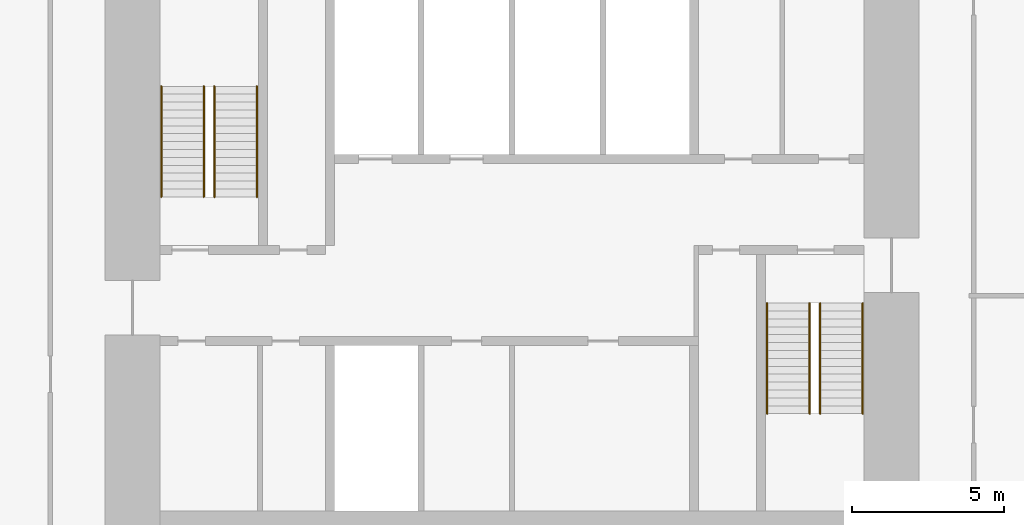
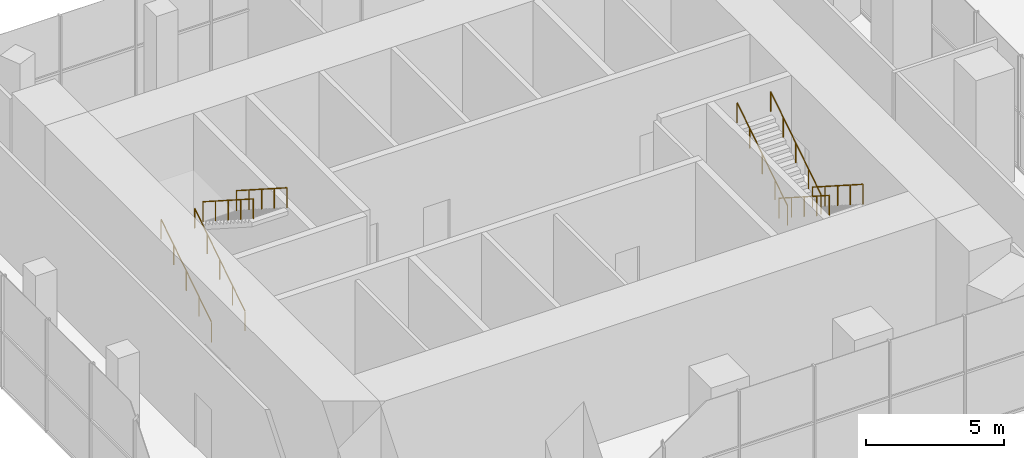
# One storey, part 9 of 9: 8 railings.
"""IFC4 building model written with IfcOpenShell, lengths in metres."""

from ifc_helpers import new_model, si_unit, direction, frame, origin, origin_2d, place, context, subcontext, project, spatial, circle, extrude, material, type_object, element, save


model = new_model("IFC4")

# Units and contexts
model_context = context("Model", 3, precision=1e-05, world=origin(), true_north=direction((0.0, 1.0)))
body_context = subcontext(model_context, "Body", "Model", "MODEL_VIEW")
ifc_project = project(units=[si_unit("LENGTHUNIT", "METRE"), si_unit("AREAUNIT", "SQUARE_METRE"), si_unit("VOLUMEUNIT", "CUBIC_METRE"), si_unit("PLANEANGLEUNIT", "RADIAN"), si_unit("MASSUNIT", "GRAM", prefix="KILO")], contexts=[model_context])

# Site, building, storey
site_placement = place(None, origin())
site = spatial("IfcSite", under=ifc_project, at=site_placement, CompositionType="ELEMENT")
building_placement = place(site_placement, origin())
building = spatial("IfcBuilding", under=site, at=building_placement, Name="Highveld Stack Headquarters", CompositionType="ELEMENT")
storey_placement = place(building_placement, frame((0.0, 0.0, 295.699951171875)))
storey = spatial("IfcBuildingStorey", under=building, at=storey_placement, Name="L73", CompositionType="ELEMENT", Elevation=295.699951171875)

# Railings
ifc_material = material(Name="Stainless steel handrail", Category="steel")
railing_type = type_object("IfcRailingType", Name="STAIR HANDRAIL HR1 900", PredefinedType="HANDRAIL", material=ifc_material)
for number, where, name in (
    (1, (-5.550048828125, 4.75, 0.166748046875), "Handrail S1 L73 flight 1"),
    (2, (-4.14990234375, 4.75, 0.166748046875), "Handrail S1 L73 flight 1"),
):
    element("IfcRailing", number, at=place(storey_placement, frame(where)), inside=storey, type_object=railing_type, Name=name, PredefinedType="HANDRAIL", context=body_context, shape_type="SweptSolid", body=[
        extrude(circle(Radius=0.02392578125, at=origin_2d()), frame((0.0, 0.0, 0.8759765625), z_axis=(0.0, 0.841880454617, 0.539664062296), x_axis=(-1.0, 0.0, 0.0)), (0.0, 0.0, 1.0), 4.323486328125),
        extrude(circle(Radius=0.02099609375, at=origin_2d()), origin(), (0.0, 0.0, 1.0), 0.851806640625),
        extrude(circle(Radius=0.02099609375, at=origin_2d()), frame((0.0, 0.909912109375, 0.583251953125)), (0.0, 0.0, 1.0), 0.851806640625),
        extrude(circle(Radius=0.02099609375, at=origin_2d()), frame((0.0, 1.81982421875, 1.16650390625)), (0.0, 0.0, 1.0), 0.851806640625),
        extrude(circle(Radius=0.02099609375, at=origin_2d()), frame((0.0, 2.72998046875, 1.75)), (0.0, 0.0, 1.0), 0.851806640625),
        extrude(circle(Radius=0.02099609375, at=origin_2d()), frame((0.0, 3.639892578125, 2.333251953125)), (0.0, 0.0, 1.0), 0.851806640625),
    ])
for number, where, name in (
    (3, (-3.800048828125, 8.389892578125, 2.666748046875), "Handrail S1 L73 flight 2"),
    (4, (-2.39990234375, 8.389892578125, 2.666748046875), "Handrail S1 L73 flight 2"),
    (5, (16.14990234375, 1.25, 0.166748046875), "Handrail S2 L73 flight 1"),
    (6, (17.550048828125, 1.25, 0.166748046875), "Handrail S2 L73 flight 1"),
):
    element("IfcRailing", number, at=place(storey_placement, frame(where)), inside=storey, type_object=railing_type, Name=name, PredefinedType="HANDRAIL", context=body_context, shape_type="SweptSolid", body=[
        extrude(circle(Radius=0.02392578125, at=origin_2d()), frame((0.0, 0.0, 0.8759765625), z_axis=(0.0, -0.841880454617, 0.539664062296), x_axis=(1.0, 0.0, 0.0)), (0.0, 0.0, 1.0), 4.323486328125),
        extrude(circle(Radius=0.02099609375, at=origin_2d()), origin(), (0.0, 0.0, 1.0), 0.851806640625),
        extrude(circle(Radius=0.02099609375, at=origin_2d()), frame((0.0, -0.909912109375, 0.583251953125)), (0.0, 0.0, 1.0), 0.851806640625),
        extrude(circle(Radius=0.02099609375, at=origin_2d()), frame((0.0, -1.81982421875, 1.16650390625)), (0.0, 0.0, 1.0), 0.851806640625),
        extrude(circle(Radius=0.02099609375, at=origin_2d()), frame((0.0, -2.72998046875, 1.75)), (0.0, 0.0, 1.0), 0.851806640625),
        extrude(circle(Radius=0.02099609375, at=origin_2d()), frame((0.0, -3.639892578125, 2.333251953125)), (0.0, 0.0, 1.0), 0.851806640625),
    ])
for number, where, name in (
    (7, (14.39990234375, -2.389892578125, 2.666748046875), "Handrail S2 L73 flight 2"),
    (8, (15.800048828125, -2.389892578125, 2.666748046875), "Handrail S2 L73 flight 2"),
):
    element("IfcRailing", number, at=place(storey_placement, frame(where)), inside=storey, type_object=railing_type, Name=name, PredefinedType="HANDRAIL", context=body_context, shape_type="SweptSolid", body=[
        extrude(circle(Radius=0.02392578125, at=origin_2d()), frame((0.0, 0.0, 0.8759765625), z_axis=(0.0, 0.841880454617, 0.539664062296), x_axis=(-1.0, 0.0, 0.0)), (0.0, 0.0, 1.0), 4.323486328125),
        extrude(circle(Radius=0.02099609375, at=origin_2d()), origin(), (0.0, 0.0, 1.0), 0.851806640625),
        extrude(circle(Radius=0.02099609375, at=origin_2d()), frame((0.0, 0.909912109375, 0.583251953125)), (0.0, 0.0, 1.0), 0.851806640625),
        extrude(circle(Radius=0.02099609375, at=origin_2d()), frame((0.0, 1.81982421875, 1.16650390625)), (0.0, 0.0, 1.0), 0.851806640625),
        extrude(circle(Radius=0.02099609375, at=origin_2d()), frame((0.0, 2.72998046875, 1.75)), (0.0, 0.0, 1.0), 0.851806640625),
        extrude(circle(Radius=0.02099609375, at=origin_2d()), frame((0.0, 3.639892578125, 2.333251953125)), (0.0, 0.0, 1.0), 0.851806640625),
    ])

save(model, "model.ifc")
